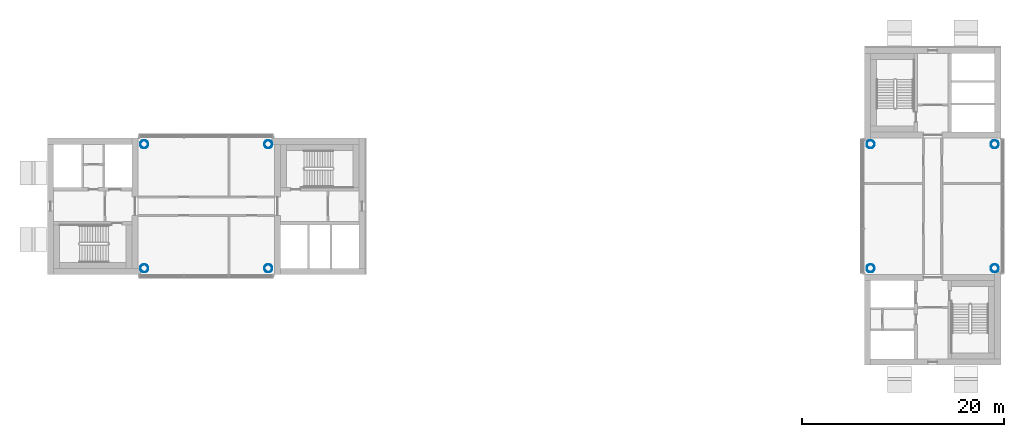
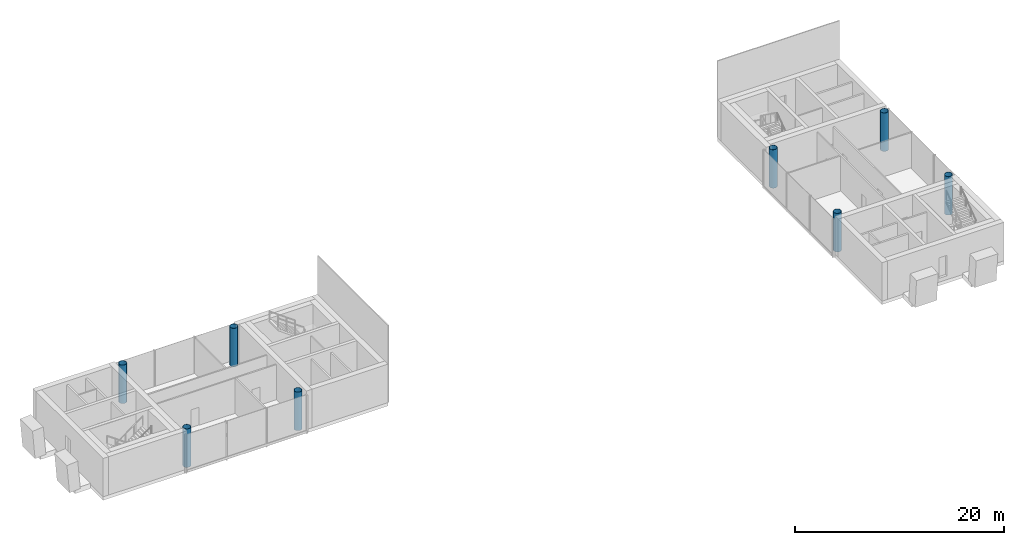
# One storey, part 1 of 11: 8 columns.
"""IFC4 building model written with IfcOpenShell, lengths in metres."""

from ifc_helpers import new_model, si_unit, direction, frame, origin, origin_2d, place, context, subcontext, project, spatial, hollow_circle, extrude, material, material_profile, profile_set, type_object, element, save


model = new_model("IFC4")

# Units and contexts
model_context = context("Model", 3, precision=1e-05, world=origin(), true_north=direction((0.0, 1.0)))
body_context = subcontext(model_context, "Body", "Model", "MODEL_VIEW")
ifc_project = project(units=[si_unit("LENGTHUNIT", "METRE"), si_unit("AREAUNIT", "SQUARE_METRE"), si_unit("VOLUMEUNIT", "CUBIC_METRE"), si_unit("PLANEANGLEUNIT", "RADIAN"), si_unit("MASSUNIT", "GRAM", prefix="KILO")], contexts=[model_context])

# Site, building, storey
site_placement = place(None, origin())
site = spatial("IfcSite", under=ifc_project, at=site_placement, CompositionType="ELEMENT")
building_placement = place(site_placement, origin())
building = spatial("IfcBuilding", under=site, at=building_placement, Name="Ipe Terrace Towers", CompositionType="ELEMENT")
storey_placement = place(building_placement, frame((0.0, 0.0, 251.39990234375)))
storey = spatial("IfcBuildingStorey", under=building, at=storey_placement, Name="L69", CompositionType="ELEMENT", Elevation=251.39990234375)

# Columns
ifc_material = material(Name="Steel S355 tube with Concrete C60/75 fill", Category="concrete")
ifc_material_profile = material_profile(ifc_material, hollow_circle(Radius=0.39990234375, WallThickness=0.028076171875, at=origin_2d()), Name="CHS-800x28")
ifc_profile_set = profile_set([ifc_material_profile], Name="Steel S355 tube with Concrete C60/75 fill")
column_type = type_object("IfcColumnType", Name="CH09 COLUMN CHS-800x28", PredefinedType="COLUMN", material=ifc_profile_set)
for number, where, z_axis, x_axis, name in (
    (1, (-42.14990234375, -6.14990234375, 0.0), (0.0, 0.0, 1.0), (1.0, 0.0, 0.0), "Column T1-C-E01"),
    (2, (-29.85009765625, -6.14990234375, 0.0), (0.0, 0.0, 1.0), (1.0, 0.0, 0.0), "Column T1-C-E02"),
    (3, (-29.85009765625, 6.14990234375, 0.0), (0.0, 0.0, 1.0), (1.0, 0.0, 0.0), "Column T1-C-E03"),
    (4, (-42.14990234375, 6.14990234375, 0.0), (0.0, 0.0, 1.0), (1.0, 0.0, 0.0), "Column T1-C-E04"),
    (5, (42.14990234375, -6.14990234375, 0.0), (0.0, 0.0, 1.0), (1.0, 0.0, 0.0), "Column T2-C-E01"),
    (6, (42.14990234375, 6.14990234375, 0.0), (0.0, 0.0, 1.0), (1.0, 0.0, 0.0), "Column T2-C-E02"),
    (7, (29.85009765625, 6.14990234375, 0.0), (0.0, 0.0, 1.0), (1.0, 0.0, 0.0), "Column T2-C-E03"),
    (8, (29.85009765625, -6.14990234375, 0.0), (0.0, 0.0, 1.0), (1.0, 0.0, 0.0), "Column T2-C-E04"),
):
    element("IfcColumn", number, at=place(storey_placement, frame(where, z_axis=z_axis, x_axis=x_axis)), inside=storey, type_object=column_type, Name=name, PredefinedType="COLUMN", context=body_context, shape_type="SweptSolid", body=[
        extrude(hollow_circle(Radius=0.39990234375, WallThickness=0.028076171875, at=origin_2d()), origin(), (0.0, 0.0, 1.0), 4.5),
    ])

save(model, "model.ifc")
